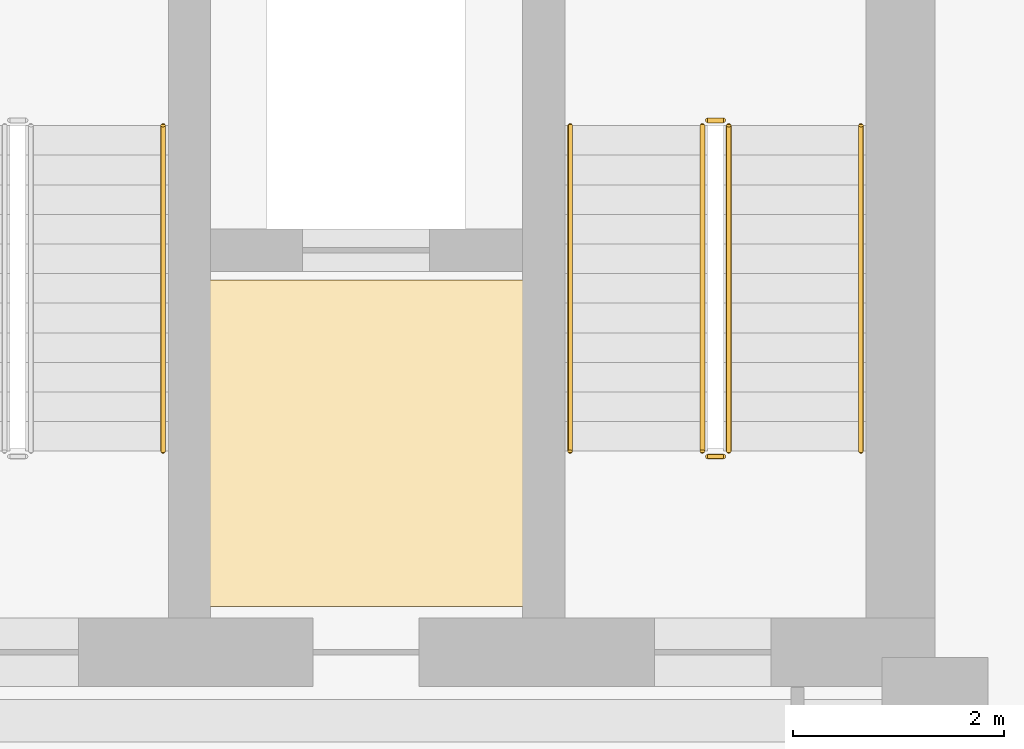
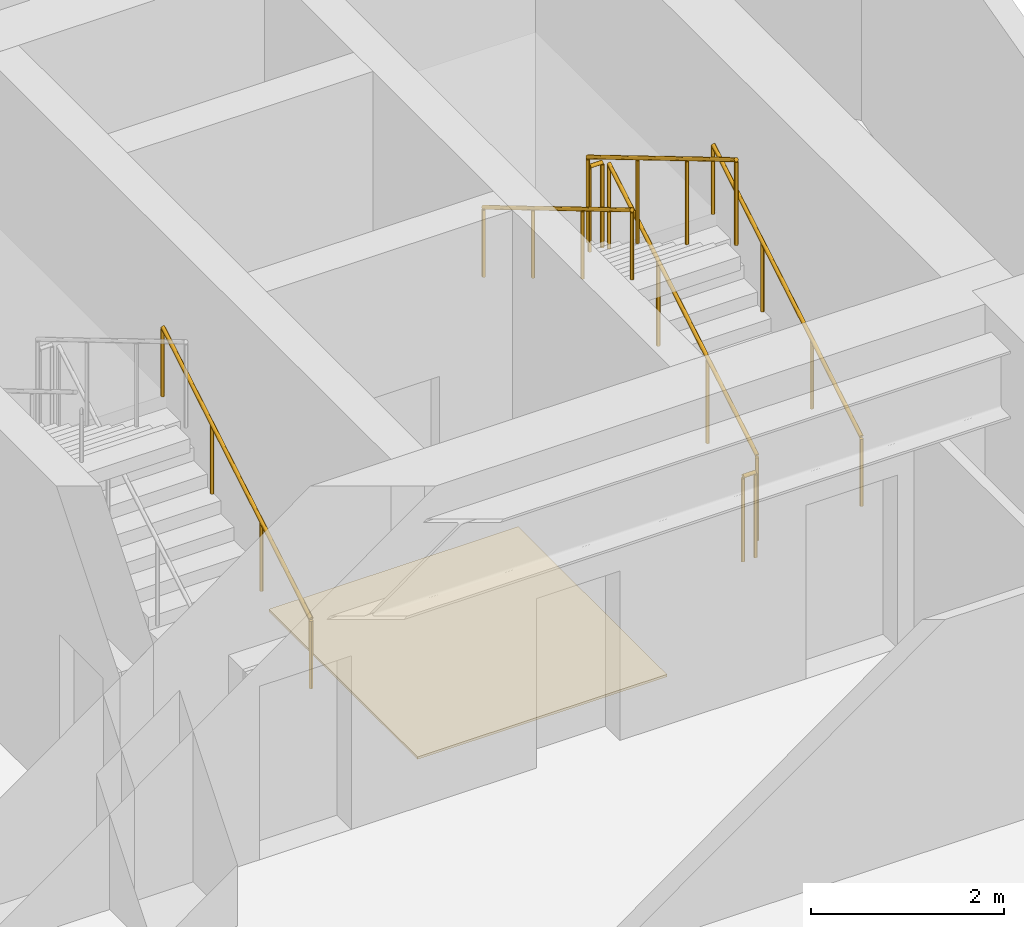
# One storey, part 26 of 26: 7 railings, 1 covering.
"""IFC4 building model written with IfcOpenShell, lengths in metres."""

from ifc_helpers import new_model, si_unit, direction, frame, origin, origin_2d, place, context, subcontext, project, spatial, polyline, circle, outline, extrude, material, layer, layer_set, type_object, element, save


model = new_model("IFC4")

# Units and contexts
model_context = context("Model", 3, precision=1e-05, world=origin(), true_north=direction((0.0, 1.0)))
body_context = subcontext(model_context, "Body", "Model", "MODEL_VIEW")
ifc_project = project(units=[si_unit("LENGTHUNIT", "METRE"), si_unit("AREAUNIT", "SQUARE_METRE"), si_unit("VOLUMEUNIT", "CUBIC_METRE"), si_unit("PLANEANGLEUNIT", "RADIAN"), si_unit("MASSUNIT", "GRAM", prefix="KILO")], contexts=[model_context])

# Site, building, storey
site_placement = place(None, origin())
site = spatial("IfcSite", under=ifc_project, at=site_placement, CompositionType="ELEMENT")
building_placement = place(site_placement, origin())
building = spatial("IfcBuilding", under=site, at=building_placement, Name="Kravanh Interchange Tower", CompositionType="ELEMENT")
storey_placement = place(building_placement, frame((0.0, 0.0, 152.0)))
storey = spatial("IfcBuildingStorey", under=building, at=storey_placement, Name="L36", CompositionType="ELEMENT", Elevation=152.0)

# Covering
ifc_material_1 = material(Name="Cementitious Terrazzo Tile")
ifc_layer_1 = layer(ifc_material_1, 0.030029296875)
ifc_layer_set_1 = layer_set([ifc_layer_1], Name="Honed Terrazzo Lobby Flooring 30mm")
covering_type = type_object("IfcCoveringType", Name="Honed Terrazzo Lobby Flooring 30mm", PredefinedType="FLOORING", material=ifc_layer_set_1)
covering_placement = place(storey_placement, origin())
element("IfcCovering", 1, at=covering_placement, inside=storey, type_object=covering_type, Name="L36 Service Lift Lobby Floor Finish", PredefinedType="FLOORING", context=body_context, shape_type="SweptSolid", body=[
    extrude(outline(polyline([(59.6298828125, 41.52001953125), (62.6201171875, 41.52001953125), (62.6201171875, 38.429931640625), (59.6298828125, 38.429931640625), (59.6298828125, 41.52001953125)])), origin(), (0.0, 0.0, 1.0), 0.030029296875),
])

# Railings
ifc_material_2 = material(Name="Structural Steel S355", Category="steel")
ifc_layer_2 = layer(ifc_material_2, 0.050048828125)
ifc_layer_set_2 = layer_set([ifc_layer_2], Name="Stair Well Guardrail Structural Steel S355 1100mm")
railing_type_1 = type_object("IfcRailingType", Name="Stair Well Guardrail Structural Steel S355 1100mm", PredefinedType="GUARDRAIL", material=ifc_layer_set_2)
railing_1_placement = place(storey_placement, frame((64.550048828125, 39.89990234375, 0.166748046875)))
element("IfcRailing", 2, at=railing_1_placement, inside=storey, type_object=railing_type_1, Name="L36 ST1 stair guard 1", PredefinedType="GUARDRAIL", context=body_context, shape_type="SweptSolid", body=[
    extrude(circle(Radius=0.02392578125, at=origin_2d()), frame((0.0, 0.0, 1.076171875), z_axis=(0.0, 0.859308565015, 0.511457515432), x_axis=(-1.0, 0.0, 0.0)), (0.0, 0.0, 1.0), 3.58447265625),
    extrude(circle(Radius=0.02099609375, at=origin_2d()), origin(), (0.0, 0.0, 1.0), 1.052001953125),
    extrude(circle(Radius=0.02099609375, at=origin_2d()), frame((0.0, 1.026611328125, 0.611083984375)), (0.0, 0.0, 1.0), 1.052001953125),
    extrude(circle(Radius=0.02099609375, at=origin_2d()), frame((0.0, 2.053466796875, 1.22216796875)), (0.0, 0.0, 1.0), 1.052001953125),
    extrude(circle(Radius=0.02099609375, at=origin_2d()), frame((0.0, 3.080078125, 1.833251953125)), (0.0, 0.0, 1.0), 1.052001953125),
])
railing_2_placement = place(storey_placement, frame((64.5, 43.030029296875, 2.0)))
element("IfcRailing", 3, at=railing_2_placement, inside=storey, type_object=railing_type_1, Name="L36 ST1 stair guard 2", PredefinedType="GUARDRAIL", context=body_context, shape_type="SweptSolid", body=[
    extrude(circle(Radius=0.02392578125, at=origin_2d()), frame((0.0, 0.0, 1.076171875), z_axis=(-1.0, 0.0, 0.0), x_axis=(0.0, -1.0, 0.0)), (0.0, 0.0, 1.0), 0.14990234375),
    extrude(circle(Radius=0.02099609375, at=origin_2d()), origin(), (0.0, 0.0, 1.0), 1.052001953125),
    extrude(circle(Radius=0.02099609375, at=origin_2d()), frame((-0.14990234375, 0.0, 0.0)), (0.0, 0.0, 1.0), 1.052001953125),
])
railing_3_placement = place(storey_placement, frame((64.300048828125, 42.97998046875, 2.166748046875)))
element("IfcRailing", 4, at=railing_3_placement, inside=storey, type_object=railing_type_1, Name="L36 ST1 stair guard 3", PredefinedType="GUARDRAIL", context=body_context, shape_type="SweptSolid", body=[
    extrude(circle(Radius=0.02392578125, at=origin_2d()), frame((0.0, 0.0, 1.076171875), z_axis=(0.0, -0.859308565015, 0.511457515432), x_axis=(1.0, 0.0, 0.0)), (0.0, 0.0, 1.0), 3.58447265625),
    extrude(circle(Radius=0.02099609375, at=origin_2d()), origin(), (0.0, 0.0, 1.0), 1.052001953125),
    extrude(circle(Radius=0.02099609375, at=origin_2d()), frame((0.0, -1.026611328125, 0.611083984375)), (0.0, 0.0, 1.0), 1.052001953125),
    extrude(circle(Radius=0.02099609375, at=origin_2d()), frame((0.0, -2.053466796875, 1.22216796875)), (0.0, 0.0, 1.0), 1.052001953125),
    extrude(circle(Radius=0.02099609375, at=origin_2d()), frame((0.0, -3.080078125, 1.833251953125)), (0.0, 0.0, 1.0), 1.052001953125),
])
railing_4_placement = place(storey_placement, frame((64.5, 39.85009765625, 0.0)))
element("IfcRailing", 5, at=railing_4_placement, inside=storey, type_object=railing_type_1, Name="L36 ST1 stair guard 4", PredefinedType="GUARDRAIL", context=body_context, shape_type="SweptSolid", body=[
    extrude(circle(Radius=0.02392578125, at=origin_2d()), frame((0.0, 0.0, 1.076171875), z_axis=(-1.0, 0.0, 0.0), x_axis=(0.0, -1.0, 0.0)), (0.0, 0.0, 1.0), 0.14990234375),
    extrude(circle(Radius=0.02099609375, at=origin_2d()), origin(), (0.0, 0.0, 1.0), 1.052001953125),
    extrude(circle(Radius=0.02099609375, at=origin_2d()), frame((-0.14990234375, 0.0, 0.0)), (0.0, 0.0, 1.0), 1.052001953125),
])
ifc_material_3 = material(Name="Stainless Steel 304", Category="steel")
ifc_layer_3 = layer(ifc_material_3, 0.044921875)
ifc_layer_set_3 = layer_set([ifc_layer_3], Name="Tubular Stair Handrail Stainless 304 900mm")
railing_type_2 = type_object("IfcRailingType", Name="Tubular Stair Handrail Stainless 304 900mm", PredefinedType="HANDRAIL", material=ifc_layer_set_3)
railing_5_placement = place(storey_placement, frame((65.800048828125, 39.89990234375, 0.166748046875)))
element("IfcRailing", 6, at=railing_5_placement, inside=storey, type_object=railing_type_2, Name="L36 ST1 stair handrail 1", PredefinedType="HANDRAIL", context=body_context, shape_type="SweptSolid", body=[
    extrude(circle(Radius=0.02392578125, at=origin_2d()), frame((0.0, 0.0, 0.8759765625), z_axis=(0.0, 0.859308565015, 0.511457515432), x_axis=(-1.0, 0.0, 0.0)), (0.0, 0.0, 1.0), 3.58447265625),
    extrude(circle(Radius=0.02099609375, at=origin_2d()), origin(), (0.0, 0.0, 1.0), 0.851806640625),
    extrude(circle(Radius=0.02099609375, at=origin_2d()), frame((0.0, 1.026611328125, 0.611083984375)), (0.0, 0.0, 1.0), 0.851806640625),
    extrude(circle(Radius=0.02099609375, at=origin_2d()), frame((0.0, 2.053466796875, 1.22216796875)), (0.0, 0.0, 1.0), 0.851806640625),
    extrude(circle(Radius=0.02099609375, at=origin_2d()), frame((0.0, 3.080078125, 1.833251953125)), (0.0, 0.0, 1.0), 0.851806640625),
])
railing_6_placement = place(storey_placement, frame((63.050048828125, 42.97998046875, 2.166748046875)))
element("IfcRailing", 7, at=railing_6_placement, inside=storey, type_object=railing_type_2, Name="L36 ST1 stair handrail 2", PredefinedType="HANDRAIL", context=body_context, shape_type="SweptSolid", body=[
    extrude(circle(Radius=0.02392578125, at=origin_2d()), frame((0.0, 0.0, 0.8759765625), z_axis=(0.0, -0.859308565015, 0.511457515432), x_axis=(1.0, 0.0, 0.0)), (0.0, 0.0, 1.0), 3.58447265625),
    extrude(circle(Radius=0.02099609375, at=origin_2d()), origin(), (0.0, 0.0, 1.0), 0.851806640625),
    extrude(circle(Radius=0.02099609375, at=origin_2d()), frame((0.0, -1.026611328125, 0.611083984375)), (0.0, 0.0, 1.0), 0.851806640625),
    extrude(circle(Radius=0.02099609375, at=origin_2d()), frame((0.0, -2.053466796875, 1.22216796875)), (0.0, 0.0, 1.0), 0.851806640625),
    extrude(circle(Radius=0.02099609375, at=origin_2d()), frame((0.0, -3.080078125, 1.833251953125)), (0.0, 0.0, 1.0), 0.851806640625),
])
railing_7_placement = place(storey_placement, frame((59.199951171875, 39.89990234375, 0.166748046875)))
element("IfcRailing", 8, at=railing_7_placement, inside=storey, type_object=railing_type_2, Name="L36 ST2 stair handrail 1", PredefinedType="HANDRAIL", context=body_context, shape_type="SweptSolid", body=[
    extrude(circle(Radius=0.02392578125, at=origin_2d()), frame((0.0, 0.0, 0.8759765625), z_axis=(0.0, 0.859308565015, 0.511457515432), x_axis=(-1.0, 0.0, 0.0)), (0.0, 0.0, 1.0), 3.58447265625),
    extrude(circle(Radius=0.02099609375, at=origin_2d()), origin(), (0.0, 0.0, 1.0), 0.851806640625),
    extrude(circle(Radius=0.02099609375, at=origin_2d()), frame((0.0, 1.026611328125, 0.611083984375)), (0.0, 0.0, 1.0), 0.851806640625),
    extrude(circle(Radius=0.02099609375, at=origin_2d()), frame((0.0, 2.053466796875, 1.22216796875)), (0.0, 0.0, 1.0), 0.851806640625),
    extrude(circle(Radius=0.02099609375, at=origin_2d()), frame((0.0, 3.080078125, 1.833251953125)), (0.0, 0.0, 1.0), 0.851806640625),
])

save(model, "model.ifc")
